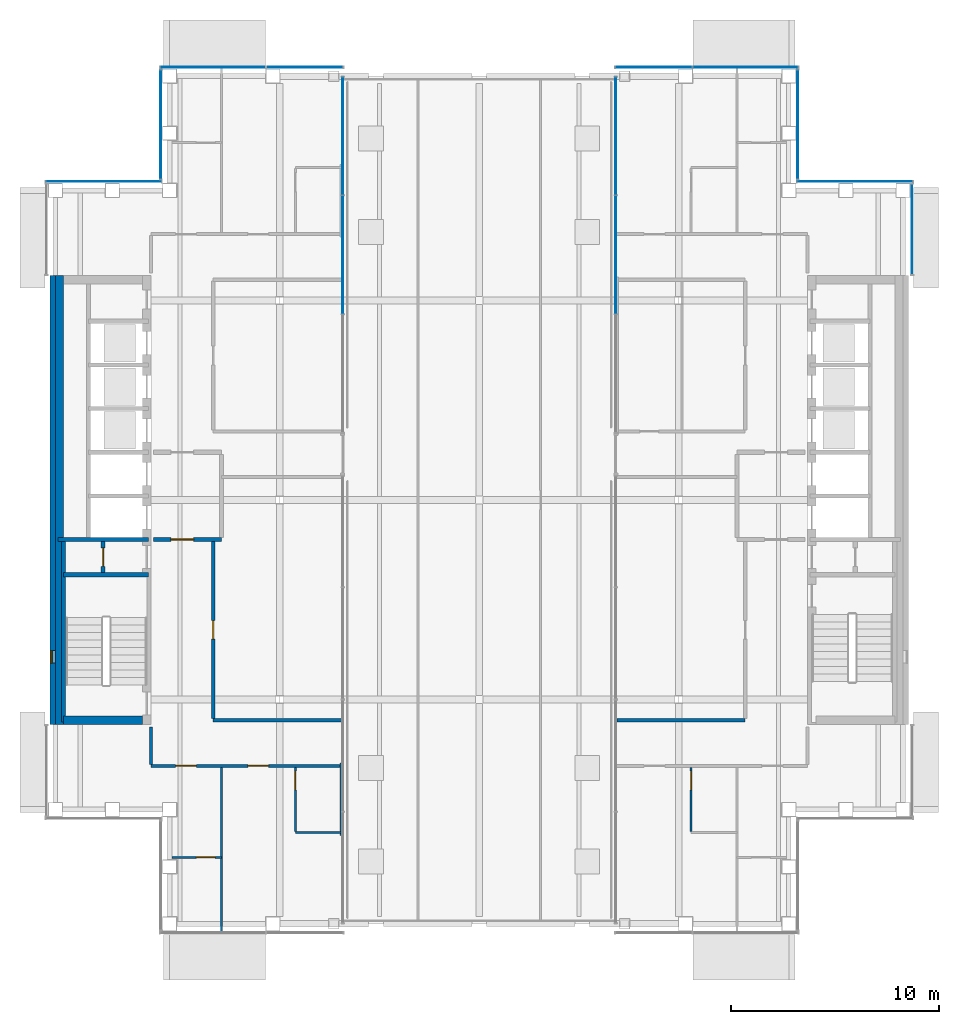
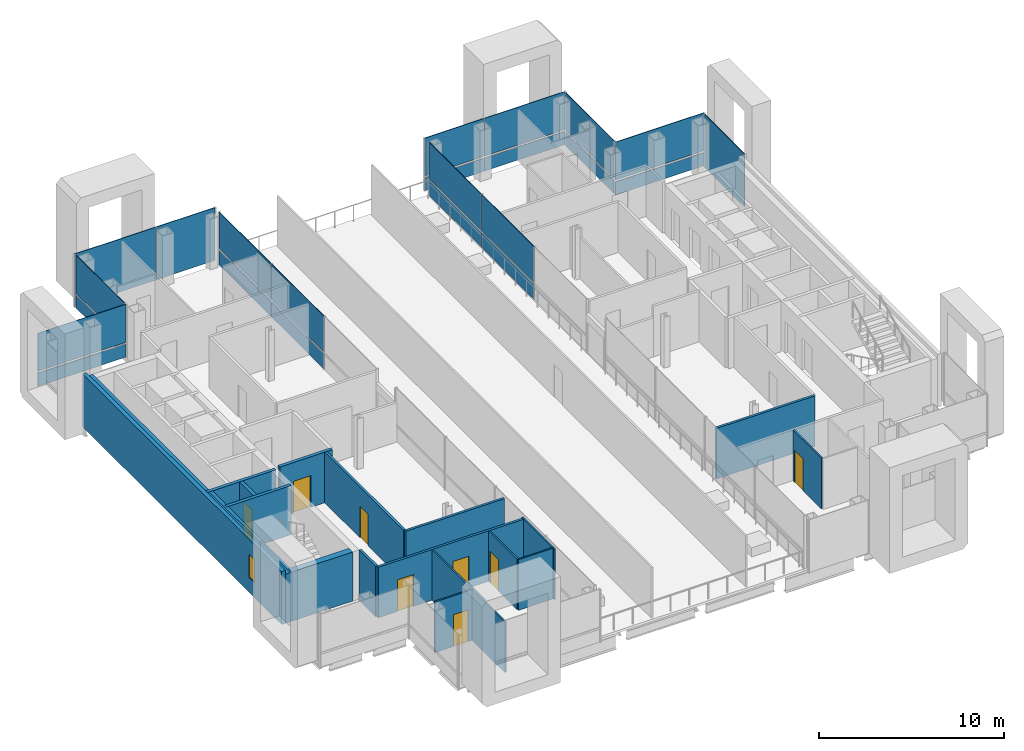
# One storey, part 10 of 17: 23 plates, 19 walls, 8 doors, 1 window, 9 openings, 9 elements without a shape of their own.
"""IFC4 building model written with IfcOpenShell, lengths in metres."""

from ifc_helpers import new_model, si_unit, direction, frame, frame_2d, origin, origin_2d, place, context, subcontext, project, spatial, rectangle, extrude, material, layer, layer_set, type_object, element, fill, aggregate, save


model = new_model("IFC4")

# Units and contexts
model_context = context("Model", 3, precision=1e-05, world=origin(), true_north=direction((0.0, 1.0)))
body_context = subcontext(model_context, "Body", "Model", "MODEL_VIEW")
ifc_project = project(units=[si_unit("LENGTHUNIT", "METRE"), si_unit("AREAUNIT", "SQUARE_METRE"), si_unit("VOLUMEUNIT", "CUBIC_METRE"), si_unit("PLANEANGLEUNIT", "RADIAN"), si_unit("MASSUNIT", "GRAM", prefix="KILO")], contexts=[model_context])

# Site, building, storey
site_placement = place(None, origin())
site = spatial("IfcSite", under=ifc_project, at=site_placement, CompositionType="ELEMENT")
building_placement = place(site_placement, origin())
building = spatial("IfcBuilding", under=site, at=building_placement, Name="Cobrizo Arcos Hotel Tower", CompositionType="ELEMENT")
storey_placement = place(building_placement, frame((0.0, 0.0, 219.0)))
storey = spatial("IfcBuildingStorey", under=building, at=storey_placement, Name="L57", CompositionType="ELEMENT", Elevation=219.0)

# Curtain wall, plate
ifc_material_1 = material(Name="Aluminium 6063-T6 anodised bronze", Category="aluminium")
curtain_wall_type_1 = type_object("IfcCurtainWallType", Name="CW-A guest facade", PredefinedType="NOTDEFINED", material=ifc_material_1)
curtain_wall_1_placement = place(storey_placement, origin())
curtain_wall_1 = element("IfcCurtainWall", 1, at=curtain_wall_1_placement, inside=storey, type_object=curtain_wall_type_1, Name="CW-A L57 N face", PredefinedType="NOTDEFINED")
ifc_material_2 = material(Name="Glass clear laminated low-e", Category="glass")
ifc_layer_1 = layer(ifc_material_2, 0.0400390625)
ifc_layer_set_1 = layer_set([ifc_layer_1], Name="CW-A glass panel")
plate_type_1 = type_object("IfcPlateType", Name="CW-A glass panel", PredefinedType="CURTAIN_PANEL", material=ifc_layer_set_1)
plate_1_placement = place(storey_placement, frame((18.074951171875, 15.324951171875, 0.990234375), z_axis=(0.0, 0.0, 1.0), x_axis=(-1.0, 0.0, 0.0)))
plate_1 = element("IfcPlate", 2, at=plate_1_placement, type_object=plate_type_1, Name="CW-A glass panel 1896", PredefinedType="CURTAIN_PANEL", context=body_context, shape_type="SweptSolid", body=[
    extrude(rectangle(XDim=5.530029296875, YDim=0.0400390625, at=origin_2d()), origin(), (0.0, 0.0, 1.0), 2.510009765625),
])

curtain_wall_2_placement = place(storey_placement, origin())
curtain_wall_2 = element("IfcCurtainWall", 3, at=curtain_wall_2_placement, inside=storey, type_object=curtain_wall_type_1, Name="CW-A L57 E face", PredefinedType="NOTDEFINED")
plate_2_placement = place(storey_placement, frame((15.324951171875, 18.074951171875, 0.990234375), z_axis=(0.0, 0.0, 1.0), x_axis=(0.0, 1.0, 0.0)))
plate_2 = element("IfcPlate", 4, at=plate_2_placement, type_object=plate_type_1, Name="CW-A glass panel 1897", PredefinedType="CURTAIN_PANEL", context=body_context, shape_type="SweptSolid", body=[
    extrude(rectangle(XDim=5.22998046875, YDim=0.0400390625, at=origin_2d()), origin(), (0.0, 0.0, 1.0), 2.510009765625),
])

# Curtain wall, plates
curtain_wall_3_placement = place(storey_placement, origin())
curtain_wall_3 = element("IfcCurtainWall", 5, at=curtain_wall_3_placement, inside=storey, type_object=curtain_wall_type_1, Name="CW-A L57 N face", PredefinedType="NOTDEFINED")
plate_3_placement = place(storey_placement, frame((12.818359375, 20.824951171875, 0.990234375), z_axis=(0.0, 0.0, 1.0), x_axis=(-1.0, 0.0, 0.0)))
plate_3 = element("IfcPlate", 6, at=plate_3_placement, type_object=plate_type_1, Name="CW-A glass panel 1898", PredefinedType="CURTAIN_PANEL", context=body_context, shape_type="SweptSolid", body=[
    extrude(rectangle(XDim=5.043212890625, YDim=0.0400390625, at=origin_2d()), origin(), (0.0, 0.0, 1.0), 2.510009765625),
])
plate_4_placement = place(storey_placement, frame((8.3984375, 20.824951171875, 0.990234375), z_axis=(0.0, 0.0, 1.0), x_axis=(-1.0, 0.0, 0.0)))
plate_4 = element("IfcPlate", 7, at=plate_4_placement, type_object=plate_type_1, Name="CW-A glass panel 1899", PredefinedType="CURTAIN_PANEL", context=body_context, shape_type="SweptSolid", body=[
    extrude(rectangle(XDim=3.6767578125, YDim=0.0400390625, at=origin_2d()), origin(), (0.0, 0.0, 1.0), 2.510009765625),
])

# Curtain wall, plate
curtain_wall_4_placement = place(storey_placement, origin())
curtain_wall_4 = element("IfcCurtainWall", 8, at=curtain_wall_4_placement, inside=storey, type_object=curtain_wall_type_1, Name="CW-A L57 W face", PredefinedType="NOTDEFINED")
plate_5_placement = place(storey_placement, frame((-15.324951171875, 18.074951171875, 0.990234375), z_axis=(0.0, 0.0, 1.0), x_axis=(0.0, -1.0, 0.0)))
plate_5 = element("IfcPlate", 9, at=plate_5_placement, type_object=plate_type_1, Name="CW-A glass panel 1902", PredefinedType="CURTAIN_PANEL", context=body_context, shape_type="SweptSolid", body=[
    extrude(rectangle(XDim=5.22998046875, YDim=0.0400390625, at=origin_2d()), origin(), (0.0, 0.0, 1.0), 2.510009765625),
])

curtain_wall_5_placement = place(storey_placement, origin())
curtain_wall_5 = element("IfcCurtainWall", 10, at=curtain_wall_5_placement, inside=storey, type_object=curtain_wall_type_1, Name="CW-A L57 N face", PredefinedType="NOTDEFINED")
plate_6_placement = place(storey_placement, frame((-18.074951171875, 15.324951171875, 0.990234375), z_axis=(0.0, 0.0, 1.0), x_axis=(-1.0, 0.0, 0.0)))
plate_6 = element("IfcPlate", 11, at=plate_6_placement, type_object=plate_type_1, Name="CW-A glass panel 1903", PredefinedType="CURTAIN_PANEL", context=body_context, shape_type="SweptSolid", body=[
    extrude(rectangle(XDim=5.530029296875, YDim=0.0400390625, at=origin_2d()), origin(), (0.0, 0.0, 1.0), 2.510009765625),
])

curtain_wall_6_placement = place(storey_placement, origin())
curtain_wall_6 = element("IfcCurtainWall", 12, at=curtain_wall_6_placement, inside=storey, type_object=curtain_wall_type_1, Name="CW-A L57 E face", PredefinedType="NOTDEFINED")
ifc_material_3 = material(Name="Aluminium composite panel pale metal", Category="aluminium")
ifc_layer_2 = layer(ifc_material_3, 0.0400390625)
ifc_layer_set_2 = layer_set([ifc_layer_2], Name="CW-A spandrel panel")
plate_type_2 = type_object("IfcPlateType", Name="CW-A spandrel panel", PredefinedType="CURTAIN_PANEL", material=ifc_layer_set_2)
plate_7_placement = place(storey_placement, frame((20.824951171875, 13.02490234375, 0.0), z_axis=(0.0, 0.0, 1.0), x_axis=(0.0, 1.0, 0.0)))
plate_7 = element("IfcPlate", 13, at=plate_7_placement, type_object=plate_type_2, Name="CW-A spandrel panel 1895", PredefinedType="CURTAIN_PANEL", context=body_context, shape_type="SweptSolid", body=[
    extrude(rectangle(XDim=4.330078125, YDim=0.0400390625, at=origin_2d()), origin(), (0.0, 0.0, 1.0), 3.5),
])
aggregate(curtain_wall_6, [plate_7])

# Plate
plate_8_placement = place(storey_placement, frame((18.074951171875, 15.324951171875, 0.0), z_axis=(0.0, 0.0, 1.0), x_axis=(-1.0, 0.0, 0.0)))
plate_8 = element("IfcPlate", 14, at=plate_8_placement, type_object=plate_type_2, Name="CW-A spandrel panel 1896", PredefinedType="CURTAIN_PANEL", context=body_context, shape_type="SweptSolid", body=[
    extrude(rectangle(XDim=5.530029296875, YDim=0.0400390625, at=origin_2d()), origin(), (0.0, 0.0, 1.0), 0.8701171875),
])

aggregate(curtain_wall_1, [plate_8, plate_1])

plate_9_placement = place(storey_placement, frame((15.324951171875, 18.074951171875, 0.0), z_axis=(0.0, 0.0, 1.0), x_axis=(0.0, 1.0, 0.0)))
plate_9 = element("IfcPlate", 15, at=plate_9_placement, type_object=plate_type_2, Name="CW-A spandrel panel 1897", PredefinedType="CURTAIN_PANEL", context=body_context, shape_type="SweptSolid", body=[
    extrude(rectangle(XDim=5.22998046875, YDim=0.0400390625, at=origin_2d()), origin(), (0.0, 0.0, 1.0), 0.8701171875),
])

aggregate(curtain_wall_2, [plate_9, plate_2])

plate_10_placement = place(storey_placement, frame((12.818359375, 20.824951171875, 0.0), z_axis=(0.0, 0.0, 1.0), x_axis=(-1.0, 0.0, 0.0)))
plate_10 = element("IfcPlate", 16, at=plate_10_placement, type_object=plate_type_2, Name="CW-A spandrel panel 1898", PredefinedType="CURTAIN_PANEL", context=body_context, shape_type="SweptSolid", body=[
    extrude(rectangle(XDim=5.043212890625, YDim=0.0400390625, at=origin_2d()), origin(), (0.0, 0.0, 1.0), 0.8701171875),
])

plate_11_placement = place(storey_placement, frame((8.3984375, 20.824951171875, 0.0), z_axis=(0.0, 0.0, 1.0), x_axis=(-1.0, 0.0, 0.0)))
plate_11 = element("IfcPlate", 17, at=plate_11_placement, type_object=plate_type_2, Name="CW-A spandrel panel 1899", PredefinedType="CURTAIN_PANEL", context=body_context, shape_type="SweptSolid", body=[
    extrude(rectangle(XDim=3.6767578125, YDim=0.0400390625, at=origin_2d()), origin(), (0.0, 0.0, 1.0), 0.8701171875),
])

aggregate(curtain_wall_3, [plate_10, plate_3, plate_11, plate_4])

# Curtain wall, plates
curtain_wall_7_placement = place(storey_placement, origin())
curtain_wall_7 = element("IfcCurtainWall", 18, at=curtain_wall_7_placement, inside=storey, type_object=curtain_wall_type_1, Name="CW-A L57 N face", PredefinedType="NOTDEFINED")
plate_12_placement = place(storey_placement, frame((-8.3984375, 20.824951171875, 0.0), z_axis=(0.0, 0.0, 1.0), x_axis=(-1.0, 0.0, 0.0)))
plate_12 = element("IfcPlate", 19, at=plate_12_placement, type_object=plate_type_2, Name="CW-A spandrel panel 1900", PredefinedType="CURTAIN_PANEL", context=body_context, shape_type="SweptSolid", body=[
    extrude(rectangle(XDim=3.6767578125, YDim=0.0400390625, at=origin_2d()), origin(), (0.0, 0.0, 1.0), 3.5),
])
plate_13_placement = place(storey_placement, frame((-12.818359375, 20.824951171875, 0.0), z_axis=(0.0, 0.0, 1.0), x_axis=(-1.0, 0.0, 0.0)))
plate_13 = element("IfcPlate", 20, at=plate_13_placement, type_object=plate_type_2, Name="CW-A spandrel panel 1901", PredefinedType="CURTAIN_PANEL", context=body_context, shape_type="SweptSolid", body=[
    extrude(rectangle(XDim=5.043212890625, YDim=0.0400390625, at=origin_2d()), origin(), (0.0, 0.0, 1.0), 3.5),
])
aggregate(curtain_wall_7, [plate_12, plate_13])

# Plate
plate_14_placement = place(storey_placement, frame((-15.324951171875, 18.074951171875, 0.0), z_axis=(0.0, 0.0, 1.0), x_axis=(0.0, -1.0, 0.0)))
plate_14 = element("IfcPlate", 21, at=plate_14_placement, type_object=plate_type_2, Name="CW-A spandrel panel 1902", PredefinedType="CURTAIN_PANEL", context=body_context, shape_type="SweptSolid", body=[
    extrude(rectangle(XDim=5.22998046875, YDim=0.0400390625, at=origin_2d()), origin(), (0.0, 0.0, 1.0), 0.8701171875),
])

aggregate(curtain_wall_4, [plate_14, plate_5])

plate_15_placement = place(storey_placement, frame((-18.074951171875, 15.324951171875, 0.0), z_axis=(0.0, 0.0, 1.0), x_axis=(-1.0, 0.0, 0.0)))
plate_15 = element("IfcPlate", 22, at=plate_15_placement, type_object=plate_type_2, Name="CW-A spandrel panel 1903", PredefinedType="CURTAIN_PANEL", context=body_context, shape_type="SweptSolid", body=[
    extrude(rectangle(XDim=5.530029296875, YDim=0.0400390625, at=origin_2d()), origin(), (0.0, 0.0, 1.0), 0.8701171875),
])

aggregate(curtain_wall_5, [plate_15, plate_6])

# Curtain wall, plates
curtain_wall_type_2 = type_object("IfcCurtainWallType", Name="CW-F void screen", PredefinedType="NOTDEFINED", material=ifc_material_1)
curtain_wall_8_placement = place(storey_placement, origin())
curtain_wall_8 = element("IfcCurtainWall", 23, at=curtain_wall_8_placement, inside=storey, type_object=curtain_wall_type_2, Name="CW-F L57 void screen C", PredefinedType="NOTDEFINED")
ifc_layer_3 = layer(ifc_material_2, 0.0400390625)
ifc_layer_set_3 = layer_set([ifc_layer_3], Name="CW-F glass panel")
plate_type_3 = type_object("IfcPlateType", Name="CW-F glass panel", PredefinedType="CURTAIN_PANEL", material=ifc_layer_set_3)
plate_16_placement = place(storey_placement, frame((6.574951171875, 11.800048828125, 0.0), z_axis=(0.0, 0.0, 1.0), x_axis=(0.0, 1.0, 0.0)))
plate_16 = element("IfcPlate", 24, at=plate_16_placement, type_object=plate_type_3, Name="CW-F glass panel 2691", PredefinedType="CURTAIN_PANEL", context=body_context, shape_type="SweptSolid", body=[
    extrude(rectangle(XDim=5.67333984375, YDim=0.0400390625, at=origin_2d()), origin(), (0.0, 0.0, 1.0), 0.989990234375),
])
plate_17_placement = place(storey_placement, frame((6.574951171875, 11.800048828125, 1.10986328125), z_axis=(0.0, 0.0, 1.0), x_axis=(0.0, 1.0, 0.0)))
plate_17 = element("IfcPlate", 25, at=plate_17_placement, type_object=plate_type_3, Name="CW-F glass panel 2691", PredefinedType="CURTAIN_PANEL", context=body_context, shape_type="SweptSolid", body=[
    extrude(rectangle(XDim=5.67333984375, YDim=0.0400390625, at=origin_2d()), origin(), (0.0, 0.0, 1.0), 2.389892578125),
])
plate_18_placement = place(storey_placement, frame((6.574951171875, 17.518310546875, 0.0), z_axis=(0.0, 0.0, 1.0), x_axis=(0.0, 1.0, 0.0)))
plate_18 = element("IfcPlate", 26, at=plate_18_placement, type_object=plate_type_3, Name="CW-F glass panel 2692", PredefinedType="CURTAIN_PANEL", context=body_context, shape_type="SweptSolid", body=[
    extrude(rectangle(XDim=5.643310546875, YDim=0.0400390625, at=origin_2d()), origin(), (0.0, 0.0, 1.0), 0.989990234375),
])
plate_19_placement = place(storey_placement, frame((6.574951171875, 17.518310546875, 1.10986328125), z_axis=(0.0, 0.0, 1.0), x_axis=(0.0, 1.0, 0.0)))
plate_19 = element("IfcPlate", 27, at=plate_19_placement, type_object=plate_type_3, Name="CW-F glass panel 2692", PredefinedType="CURTAIN_PANEL", context=body_context, shape_type="SweptSolid", body=[
    extrude(rectangle(XDim=5.643310546875, YDim=0.0400390625, at=origin_2d()), origin(), (0.0, 0.0, 1.0), 2.389892578125),
])
aggregate(curtain_wall_8, [plate_16, plate_17, plate_18, plate_19])

curtain_wall_9_placement = place(storey_placement, origin())
curtain_wall_9 = element("IfcCurtainWall", 28, at=curtain_wall_9_placement, inside=storey, type_object=curtain_wall_type_2, Name="CW-F L57 void screen C", PredefinedType="NOTDEFINED")
plate_20_placement = place(storey_placement, frame((-6.574951171875, 17.518310546875, 0.0), z_axis=(0.0, 0.0, 1.0), x_axis=(0.0, -1.0, 0.0)))
plate_20 = element("IfcPlate", 29, at=plate_20_placement, type_object=plate_type_3, Name="CW-F glass panel 2693", PredefinedType="CURTAIN_PANEL", context=body_context, shape_type="SweptSolid", body=[
    extrude(rectangle(XDim=5.643310546875, YDim=0.0400390625, at=origin_2d()), origin(), (0.0, 0.0, 1.0), 0.989990234375),
])
plate_21_placement = place(storey_placement, frame((-6.574951171875, 17.518310546875, 1.10986328125), z_axis=(0.0, 0.0, 1.0), x_axis=(0.0, -1.0, 0.0)))
plate_21 = element("IfcPlate", 30, at=plate_21_placement, type_object=plate_type_3, Name="CW-F glass panel 2693", PredefinedType="CURTAIN_PANEL", context=body_context, shape_type="SweptSolid", body=[
    extrude(rectangle(XDim=5.643310546875, YDim=0.0400390625, at=origin_2d()), origin(), (0.0, 0.0, 1.0), 2.389892578125),
])
plate_22_placement = place(storey_placement, frame((-6.574951171875, 11.800048828125, 0.0), z_axis=(0.0, 0.0, 1.0), x_axis=(0.0, -1.0, 0.0)))
plate_22 = element("IfcPlate", 31, at=plate_22_placement, type_object=plate_type_3, Name="CW-F glass panel 2694", PredefinedType="CURTAIN_PANEL", context=body_context, shape_type="SweptSolid", body=[
    extrude(rectangle(XDim=5.67333984375, YDim=0.0400390625, at=origin_2d()), origin(), (0.0, 0.0, 1.0), 0.989990234375),
])
plate_23_placement = place(storey_placement, frame((-6.574951171875, 11.800048828125, 1.10986328125), z_axis=(0.0, 0.0, 1.0), x_axis=(0.0, -1.0, 0.0)))
plate_23 = element("IfcPlate", 32, at=plate_23_placement, type_object=plate_type_3, Name="CW-F glass panel 2694", PredefinedType="CURTAIN_PANEL", context=body_context, shape_type="SweptSolid", body=[
    extrude(rectangle(XDim=5.67333984375, YDim=0.0400390625, at=origin_2d()), origin(), (0.0, 0.0, 1.0), 2.389892578125),
])
aggregate(curtain_wall_9, [plate_20, plate_21, plate_22, plate_23])

# Wall, openings, doors
ifc_material_4 = material(Name="Gypsum board partition")
ifc_layer_4 = layer(ifc_material_4, 0.14990234375)
ifc_layer_set_4 = layer_set([ifc_layer_4], Name="Corridor wall EI 60 150")
wall_type_1 = type_object("IfcWallType", Name="Corridor wall EI 60 150", PredefinedType="PARTITIONING", material=ifc_layer_set_4)
wall_1_placement = place(storey_placement, frame((-15.800048828125, -12.800048828125, 0.0), z_axis=(0.0, 0.0, 1.0), x_axis=(1.0, 0.0, 0.0)))
wall_1 = element("IfcWall", 33, at=wall_1_placement, inside=storey, type_object=wall_type_1, Name="Partition 005", PredefinedType="PARTITIONING", context=body_context, shape_type="SweptSolid", body=[
    extrude(rectangle(XDim=9.150146484375, YDim=0.14990234375, at=frame_2d((4.5751953125, 0.0))), origin(), (0.0, 0.0, 1.0), 3.35009765625),
])
opening_1_placement = place(wall_1_placement, frame((4.6669921875, 0.0, 0.0)))
opening_1 = element("IfcOpeningElement", 34, at=opening_1_placement, cuts=wall_1, Name="Opening GD-04", PredefinedType="OPENING", context=body_context, shape_type="SweptSolid", body=[
    extrude(rectangle(XDim=1.0, YDim=2.10009765625, at=frame_2d((0.5, 1.050048828125))), frame((0.0, 0.0869140625, 0.0), z_axis=(0.0, -1.0, 0.0), x_axis=(1.0, 0.0, 0.0)), (0.0, 0.0, 1.0), 0.173828125),
])
opening_2_placement = place(wall_1_placement, frame((1.19189453125, 0.0, 0.0)))
opening_2 = element("IfcOpeningElement", 35, at=opening_2_placement, cuts=wall_1, Name="Opening GD-05", PredefinedType="OPENING", context=body_context, shape_type="SweptSolid", body=[
    extrude(rectangle(XDim=1.0, YDim=2.10009765625, at=frame_2d((0.5, 1.050048828125))), frame((0.0, 0.0869140625, 0.0), z_axis=(0.0, -1.0, 0.0), x_axis=(1.0, 0.0, 0.0)), (0.0, 0.0, 1.0), 0.173828125),
])
ifc_material_5 = material(Name="Timber door leaf", Category="wood")
door_type_1 = type_object("IfcDoorType", Name="Guest room door FD30S 1000x2100", OperationType="SINGLE_SWING_LEFT", PredefinedType="DOOR", material=ifc_material_5)
door_1_placement = place(opening_1_placement, origin())
door_1 = element("IfcDoor", 36, at=door_1_placement, inside=storey, type_object=door_type_1, Name="Door GD-04", OperationType="SINGLE_SWING_RIGHT", OverallHeight=2.10009765625, OverallWidth=1.0, PredefinedType="DOOR", context=body_context, shape_type="SweptSolid", body=[
    extrude(rectangle(XDim=1.0, YDim=2.10009765625, at=frame_2d((0.5, 1.050048828125))), frame((0.0, 0.02490234375, 0.0), z_axis=(0.0, -1.0, 0.0), x_axis=(1.0, 0.0, 0.0)), (0.0, 0.0, 1.0), 0.050048828125),
])
fill(opening_1, door_1)
door_2_placement = place(opening_2_placement, origin())
door_2 = element("IfcDoor", 37, at=door_2_placement, inside=storey, type_object=door_type_1, Name="Door GD-05", OperationType="SINGLE_SWING_RIGHT", OverallHeight=2.10009765625, OverallWidth=1.0, PredefinedType="DOOR", context=body_context, shape_type="SweptSolid", body=[
    extrude(rectangle(XDim=1.0, YDim=2.10009765625, at=frame_2d((0.5, 1.050048828125))), frame((0.0, 0.02490234375, 0.0), z_axis=(0.0, -1.0, 0.0), x_axis=(1.0, 0.0, 0.0)), (0.0, 0.0, 1.0), 0.050048828125),
])
fill(opening_2, door_2)

# Walls
for number, where, z_axis, x_axis, name in (
    (38, (-12.800048828125, -10.60009765625, 0.0), (0.0, 0.0, 1.0), (1.0, 0.0, 0.0), "Partition 007"),
    (39, (6.6201171875, -10.60009765625, 0.0), (0.0, 0.0, 1.0), (1.0, 0.0, 0.0), "Partition 008"),
):
    element("IfcWall", number, at=place(storey_placement, frame(where, z_axis=z_axis, x_axis=x_axis)), inside=storey, type_object=wall_type_1, Name=name, PredefinedType="PARTITIONING", context=body_context, shape_type="SweptSolid", body=[
        extrude(rectangle(XDim=6.179931640625, YDim=0.14990234375, at=frame_2d((3.08984375, 0.0))), origin(), (0.0, 0.0, 1.0), 3.35009765625),
    ])
wall_2_placement = place(storey_placement, frame((-15.800048828125, -12.72509765625, 0.0), z_axis=(0.0, 0.0, 1.0), x_axis=(0.0, 1.0, 0.0)))
element("IfcWall", 40, at=wall_2_placement, inside=storey, type_object=wall_type_1, Name="Partition 044", PredefinedType="PARTITIONING", context=body_context, shape_type="SweptSolid", body=[
    extrude(rectangle(XDim=1.80517578125, YDim=0.14990234375, at=frame_2d((0.902587890625, 0.0))), origin(), (0.0, 0.0, 1.0), 3.35009765625),
])

# Wall, opening, door
wall_3_placement = place(storey_placement, frame((-12.800048828125, -10.52490234375, 0.0), z_axis=(0.0, 0.0, 1.0), x_axis=(0.0, 1.0, 0.0)))
wall_3 = element("IfcWall", 41, at=wall_3_placement, inside=storey, type_object=wall_type_1, Name="Partition 046", PredefinedType="PARTITIONING", context=body_context, shape_type="SweptSolid", body=[
    extrude(rectangle(XDim=8.52490234375, YDim=0.14990234375, at=frame_2d((4.262451171875, 0.0))), origin(), (0.0, 0.0, 1.0), 3.35009765625),
])
opening_3_placement = place(wall_3_placement, frame((3.824951171875, 0.0, 0.0)))
opening_3 = element("IfcOpeningElement", 42, at=opening_3_placement, cuts=wall_3, Name="Opening RD-07", PredefinedType="OPENING", context=body_context, shape_type="SweptSolid", body=[
    extrude(rectangle(XDim=0.89990234375, YDim=2.10009765625, at=frame_2d((0.449951171875, 1.050048828125))), frame((0.0, 0.0869140625, 0.0), z_axis=(0.0, -1.0, 0.0), x_axis=(1.0, 0.0, 0.0)), (0.0, 0.0, 1.0), 0.173828125),
])
door_type_2 = type_object("IfcDoorType", Name="Room door FD30 900x2100", OperationType="SINGLE_SWING_LEFT", PredefinedType="DOOR", material=ifc_material_5)
door_3_placement = place(opening_3_placement, origin())
door_3 = element("IfcDoor", 43, at=door_3_placement, inside=storey, type_object=door_type_2, Name="Door RD-07", OperationType="SINGLE_SWING_LEFT", OverallHeight=2.10009765625, OverallWidth=0.89990234375, PredefinedType="DOOR", context=body_context, shape_type="SweptSolid", body=[
    extrude(rectangle(XDim=0.89990234375, YDim=2.10009765625, at=frame_2d((0.449951171875, 1.050048828125))), frame((0.0, 0.02490234375, 0.0), z_axis=(0.0, -1.0, 0.0), x_axis=(1.0, 0.0, 0.0)), (0.0, 0.0, 1.0), 0.050048828125),
])
fill(opening_3, door_3)

# Wall, opening, window
ifc_layer_5 = layer(ifc_material_3, 0.25)
ifc_layer_set_5 = layer_set([ifc_layer_5], Name="EW-1 insulated panel wall 250")
wall_type_2 = type_object("IfcWallType", Name="EW-1 insulated panel wall 250", PredefinedType="SOLIDWALL", material=ifc_layer_set_5)
wall_4_placement = place(storey_placement, frame((-20.52490234375, 10.800048828125, 0.0), z_axis=(0.0, 0.0, 1.0), x_axis=(0.0, -1.0, 0.0)))
wall_4 = element("IfcWall", 44, at=wall_4_placement, inside=storey, type_object=wall_type_2, Name="Core face wall L57 W", PredefinedType="SOLIDWALL", context=body_context, shape_type="SweptSolid", body=[
    extrude(rectangle(XDim=21.60009765625, YDim=0.25, at=frame_2d((10.800048828125, 0.0))), origin(), (0.0, 0.0, 1.0), 3.5),
])
opening_4_placement = place(wall_4_placement, frame((18.050048828125, 0.0, 1.0)))
opening_4 = element("IfcOpeningElement", 45, at=opening_4_placement, cuts=wall_4, Name="Opening W-128", PredefinedType="OPENING", context=body_context, shape_type="SweptSolid", body=[
    extrude(rectangle(XDim=0.60009765625, YDim=1.5, at=frame_2d((0.300048828125, 0.75))), frame((0.0, 0.136962890625, 0.0), z_axis=(0.0, -1.0, 0.0), x_axis=(1.0, 0.0, 0.0)), (0.0, 0.0, 1.0), 0.27392578125),
])
ifc_material_6 = material(Name="Aluminium 6063-T6 and clear laminated glass", Category="aluminium")
window_type = type_object("IfcWindowType", Name="W-C1 core stair slot window 600x1500", PartitioningType="SINGLE_PANEL", PredefinedType="WINDOW", material=ifc_material_6)
window_placement = place(opening_4_placement, origin())
window = element("IfcWindow", 46, at=window_placement, inside=storey, type_object=window_type, Name="Core face wall L57 W window W-128", OverallHeight=1.5, OverallWidth=0.60009765625, PartitioningType="SINGLE_PANEL", PredefinedType="WINDOW", context=body_context, shape_type="SweptSolid", body=[
    extrude(rectangle(XDim=0.60009765625, YDim=1.5, at=frame_2d((0.300048828125, 0.75))), frame((0.0, -0.034912109375, 0.0), z_axis=(0.0, -1.0, 0.0), x_axis=(1.0, 0.0, 0.0)), (0.0, 0.0, 1.0), 0.06005859375),
])
fill(opening_4, window)

# Wall, opening, door
ifc_layer_6 = layer(ifc_material_4, 0.10009765625)
ifc_layer_set_6 = layer_set([ifc_layer_6], Name="Partition EI 30 100")
wall_type_3 = type_object("IfcWallType", Name="Partition EI 30 100", PredefinedType="PARTITIONING", material=ifc_layer_set_6)
wall_5_placement = place(storey_placement, frame((-14.780029296875, -17.199951171875, 0.0), z_axis=(0.0, 0.0, 1.0), x_axis=(1.0, 0.0, 0.0)))
wall_5 = element("IfcWall", 47, at=wall_5_placement, inside=storey, type_object=wall_type_3, Name="Partition 001", PredefinedType="PARTITIONING", context=body_context, shape_type="SweptSolid", body=[
    extrude(rectangle(XDim=2.380126953125, YDim=0.10009765625, at=frame_2d((1.18994140625, 0.0))), origin(), (0.0, 0.0, 1.0), 3.35009765625),
])
opening_5_placement = place(wall_5_placement, frame((1.16796875, 0.0, 0.0)))
opening_5 = element("IfcOpeningElement", 48, at=opening_5_placement, cuts=wall_5, Name="Opening ED-05", PredefinedType="OPENING", context=body_context, shape_type="SweptSolid", body=[
    extrude(rectangle(XDim=0.89990234375, YDim=2.10009765625, at=frame_2d((0.449951171875, 1.050048828125))), frame((0.0, 0.06201171875, 0.0), z_axis=(0.0, -1.0, 0.0), x_axis=(1.0, 0.0, 0.0)), (0.0, 0.0, 1.0), 0.1240234375),
])
door_type_3 = type_object("IfcDoorType", Name="En-suite door 900x2100", OperationType="SINGLE_SWING_LEFT", PredefinedType="DOOR", material=ifc_material_5)
door_4_placement = place(opening_5_placement, origin())
door_4 = element("IfcDoor", 49, at=door_4_placement, inside=storey, type_object=door_type_3, Name="Door ED-05", OperationType="SINGLE_SWING_RIGHT", OverallHeight=2.10009765625, OverallWidth=0.89990234375, PredefinedType="DOOR", context=body_context, shape_type="SweptSolid", body=[
    extrude(rectangle(XDim=0.89990234375, YDim=2.10009765625, at=frame_2d((0.449951171875, 1.050048828125))), frame((0.0, 0.02490234375, 0.0), z_axis=(0.0, -1.0, 0.0), x_axis=(1.0, 0.0, 0.0)), (0.0, 0.0, 1.0), 0.050048828125),
])
fill(opening_5, door_4)

# Walls
wall_6_placement = place(storey_placement, frame((-8.85009765625, -16.0, 0.0), z_axis=(0.0, 0.0, 1.0), x_axis=(1.0, 0.0, 0.0)))
element("IfcWall", 50, at=wall_6_placement, inside=storey, type_object=wall_type_3, Name="Partition 003", PredefinedType="PARTITIONING", context=body_context, shape_type="SweptSolid", body=[
    extrude(rectangle(XDim=2.2001953125, YDim=0.10009765625, at=frame_2d((1.10009765625, 0.0))), origin(), (0.0, 0.0, 1.0), 3.35009765625),
])
wall_7_placement = place(storey_placement, frame((-12.39990234375, -20.780029296875, 0.0), z_axis=(0.0, 0.0, 1.0), x_axis=(0.0, 1.0, 0.0)))
element("IfcWall", 51, at=wall_7_placement, inside=storey, type_object=wall_type_3, Name="Partition 048", PredefinedType="PARTITIONING", context=body_context, shape_type="SweptSolid", body=[
    extrude(rectangle(XDim=7.905029296875, YDim=0.10009765625, at=frame_2d((3.95263671875, 0.0))), origin(), (0.0, 0.0, 1.0), 3.35009765625),
])

# Wall, opening, door
wall_8_placement = place(storey_placement, frame((-8.85009765625, -15.949951171875, 0.0), z_axis=(0.0, 0.0, 1.0), x_axis=(0.0, 1.0, 0.0)))
wall_8 = element("IfcWall", 52, at=wall_8_placement, inside=storey, type_object=wall_type_3, Name="Partition 051", PredefinedType="PARTITIONING", context=body_context, shape_type="SweptSolid", body=[
    extrude(rectangle(XDim=3.074951171875, YDim=0.10009765625, at=frame_2d((1.53759765625, 0.0))), origin(), (0.0, 0.0, 1.0), 3.35009765625),
])
opening_6_placement = place(wall_8_placement, frame((1.99609375, 0.0, 0.0)))
opening_6 = element("IfcOpeningElement", 53, at=opening_6_placement, cuts=wall_8, Name="Opening ED-04", PredefinedType="OPENING", context=body_context, shape_type="SweptSolid", body=[
    extrude(rectangle(XDim=0.89990234375, YDim=2.10009765625, at=frame_2d((0.449951171875, 1.050048828125))), frame((0.0, 0.06201171875, 0.0), z_axis=(0.0, -1.0, 0.0), x_axis=(1.0, 0.0, 0.0)), (0.0, 0.0, 1.0), 0.1240234375),
])
door_5_placement = place(opening_6_placement, origin())
door_5 = element("IfcDoor", 54, at=door_5_placement, inside=storey, type_object=door_type_3, Name="Door ED-04", OperationType="SINGLE_SWING_RIGHT", OverallHeight=2.10009765625, OverallWidth=0.89990234375, PredefinedType="DOOR", context=body_context, shape_type="SweptSolid", body=[
    extrude(rectangle(XDim=0.89990234375, YDim=2.10009765625, at=frame_2d((0.449951171875, 1.050048828125))), frame((0.0, 0.02490234375, 0.0), z_axis=(0.0, -1.0, 0.0), x_axis=(1.0, 0.0, 0.0)), (0.0, 0.0, 1.0), 0.050048828125),
])
fill(opening_6, door_5)

# Wall
wall_9_placement = place(storey_placement, frame((-6.64990234375, -16.139892578125, 0.0), z_axis=(0.0, 0.0, 1.0), x_axis=(0.0, 1.0, 0.0)))
element("IfcWall", 55, at=wall_9_placement, inside=storey, type_object=wall_type_3, Name="Partition 053", PredefinedType="PARTITIONING", context=body_context, shape_type="SweptSolid", body=[
    extrude(rectangle(XDim=3.47998046875, YDim=0.10009765625, at=frame_2d((1.739990234375, 0.0))), origin(), (0.0, 0.0, 1.0), 3.35009765625),
])

# Wall, opening, door
wall_10_placement = place(storey_placement, frame((10.199951171875, -15.949951171875, 0.0), z_axis=(0.0, 0.0, 1.0), x_axis=(0.0, 1.0, 0.0)))
wall_10 = element("IfcWall", 56, at=wall_10_placement, inside=storey, type_object=wall_type_3, Name="Partition 061", PredefinedType="PARTITIONING", context=body_context, shape_type="SweptSolid", body=[
    extrude(rectangle(XDim=3.074951171875, YDim=0.10009765625, at=frame_2d((1.53759765625, 0.0))), origin(), (0.0, 0.0, 1.0), 3.35009765625),
])
opening_7_placement = place(wall_10_placement, frame((1.99609375, 0.0, 0.0)))
opening_7 = element("IfcOpeningElement", 57, at=opening_7_placement, cuts=wall_10, Name="Opening ED-03", PredefinedType="OPENING", context=body_context, shape_type="SweptSolid", body=[
    extrude(rectangle(XDim=0.89990234375, YDim=2.10009765625, at=frame_2d((0.449951171875, 1.050048828125))), frame((0.0, 0.06201171875, 0.0), z_axis=(0.0, -1.0, 0.0), x_axis=(1.0, 0.0, 0.0)), (0.0, 0.0, 1.0), 0.1240234375),
])
door_6_placement = place(opening_7_placement, origin())
door_6 = element("IfcDoor", 58, at=door_6_placement, inside=storey, type_object=door_type_3, Name="Door ED-03", OperationType="SINGLE_SWING_RIGHT", OverallHeight=2.10009765625, OverallWidth=0.89990234375, PredefinedType="DOOR", context=body_context, shape_type="SweptSolid", body=[
    extrude(rectangle(XDim=0.89990234375, YDim=2.10009765625, at=frame_2d((0.449951171875, 1.050048828125))), frame((0.0, 0.02490234375, 0.0), z_axis=(0.0, -1.0, 0.0), x_axis=(1.0, 0.0, 0.0)), (0.0, 0.0, 1.0), 0.050048828125),
])
fill(opening_7, door_6)

# Walls
ifc_material_7 = material(Name="Concrete f'c 40 MPa", Category="concrete")
ifc_layer_7 = layer(ifc_material_7, 0.39990234375)
ifc_layer_set_7 = layer_set([ifc_layer_7], Name="RC core wall 400 f'c 40")
wall_type_4 = type_object("IfcWallType", Name="RC core wall 400 f'c 40", PredefinedType="SHEAR", material=ifc_layer_set_7)
wall_11_placement = place(storey_placement, frame((-20.199951171875, -10.800048828125, 0.0), z_axis=(0.0, 0.0, 1.0), x_axis=(0.0, 1.0, 0.0)))
element("IfcWall", 59, at=wall_11_placement, inside=storey, type_object=wall_type_4, Name="Core wall CW4, west core, outer face, L57", PredefinedType="SHEAR", context=body_context, shape_type="SweptSolid", body=[
    extrude(rectangle(XDim=21.60009765625, YDim=0.39990234375, at=frame_2d((10.800048828125, 0.0))), origin(), (0.0, 0.0, 1.0), 3.25),
])
wall_12_placement = place(storey_placement, frame((-20.0, -10.60009765625, 0.0), z_axis=(0.0, 0.0, 1.0), x_axis=(1.0, 0.0, 0.0)))
element("IfcWall", 60, at=wall_12_placement, inside=storey, type_object=wall_type_4, Name="Core wall CW4, west core, south end, L57", PredefinedType="SHEAR", context=body_context, shape_type="SweptSolid", body=[
    extrude(rectangle(XDim=3.800048828125, YDim=0.39990234375, at=frame_2d((1.89990234375, 0.0))), origin(), (0.0, 0.0, 1.0), 3.25),
])
ifc_layer_8 = layer(ifc_material_4, 0.199951171875)
ifc_layer_set_8 = layer_set([ifc_layer_8], Name="Shaft wall EI 120 200")
wall_type_5 = type_object("IfcWallType", Name="Shaft wall EI 120 200", PredefinedType="PARTITIONING", material=ifc_layer_set_8)
wall_13_placement = place(storey_placement, frame((-20.280029296875, -1.89990234375, 0.0), z_axis=(0.0, 0.0, 1.0), x_axis=(1.0, 0.0, 0.0)))
element("IfcWall", 61, at=wall_13_placement, inside=storey, type_object=wall_type_5, Name="Partition 011", PredefinedType="PARTITIONING", context=body_context, shape_type="SweptSolid", body=[
    extrude(rectangle(XDim=4.360107421875, YDim=0.199951171875, at=frame_2d((2.18017578125, 0.0))), origin(), (0.0, 0.0, 1.0), 3.25),
])

# Wall, opening, door
wall_14_placement = place(storey_placement, frame((-15.679931640625, -1.89990234375, 0.0), z_axis=(0.0, 0.0, 1.0), x_axis=(1.0, 0.0, 0.0)))
wall_14 = element("IfcWall", 62, at=wall_14_placement, inside=storey, type_object=wall_type_5, Name="Partition 012", PredefinedType="PARTITIONING", context=body_context, shape_type="SweptSolid", body=[
    extrude(rectangle(XDim=3.280029296875, YDim=0.199951171875, at=frame_2d((1.64013671875, 0.0))), origin(), (0.0, 0.0, 1.0), 3.35009765625),
])
opening_8_placement = place(wall_14_placement, frame((0.840087890625, 0.0, 0.0)))
opening_8 = element("IfcOpeningElement", 63, at=opening_8_placement, cuts=wall_14, Name="Opening FD-03", PredefinedType="OPENING", context=body_context, shape_type="SweptSolid", body=[
    extrude(rectangle(XDim=1.10009765625, YDim=2.10009765625, at=frame_2d((0.550048828125, 1.050048828125))), frame((0.0, 0.112060546875, 0.0), z_axis=(0.0, -1.0, 0.0), x_axis=(1.0, 0.0, 0.0)), (0.0, 0.0, 1.0), 0.223876953125),
])
ifc_material_8 = material(Name="Steel door leaf", Category="steel")
door_type_4 = type_object("IfcDoorType", Name="Fire door FD60 1100x2100", OperationType="SINGLE_SWING_LEFT", PredefinedType="DOOR", material=ifc_material_8)
door_7_placement = place(opening_8_placement, origin())
door_7 = element("IfcDoor", 64, at=door_7_placement, inside=storey, type_object=door_type_4, Name="Door FD-03", OperationType="SINGLE_SWING_LEFT", OverallHeight=2.10009765625, OverallWidth=1.10009765625, PredefinedType="DOOR", context=body_context, shape_type="SweptSolid", body=[
    extrude(rectangle(XDim=1.10009765625, YDim=2.10009765625, at=frame_2d((0.550048828125, 1.050048828125))), frame((0.0, 0.02490234375, 0.0), z_axis=(0.0, -1.0, 0.0), x_axis=(1.0, 0.0, 0.0)), (0.0, 0.0, 1.0), 0.050048828125),
])
fill(opening_8, door_7)

wall_15_placement = place(storey_placement, frame((-18.10009765625, -3.5, 0.0), z_axis=(0.0, 0.0, 1.0), x_axis=(0.0, 1.0, 0.0)))
wall_15 = element("IfcWall", 65, at=wall_15_placement, inside=storey, type_object=wall_type_5, Name="Partition 043", PredefinedType="PARTITIONING", context=body_context, shape_type="SweptSolid", body=[
    extrude(rectangle(XDim=1.5, YDim=0.199951171875, at=frame_2d((0.75, 0.0))), origin(), (0.0, 0.0, 1.0), 3.25),
])
opening_9_placement = place(wall_15_placement, frame((0.300048828125, 0.0, 0.0)))
opening_9 = element("IfcOpeningElement", 66, at=opening_9_placement, cuts=wall_15, Name="Opening RD-01", PredefinedType="OPENING", context=body_context, shape_type="SweptSolid", body=[
    extrude(rectangle(XDim=0.89990234375, YDim=2.10009765625, at=frame_2d((0.449951171875, 1.050048828125))), frame((0.0, 0.112060546875, 0.0), z_axis=(0.0, -1.0, 0.0), x_axis=(1.0, 0.0, 0.0)), (0.0, 0.0, 1.0), 0.223876953125),
])
door_8_placement = place(opening_9_placement, origin())
door_8 = element("IfcDoor", 67, at=door_8_placement, inside=storey, type_object=door_type_2, Name="Door RD-01", OperationType="SINGLE_SWING_LEFT", OverallHeight=2.10009765625, OverallWidth=0.89990234375, PredefinedType="DOOR", context=body_context, shape_type="SweptSolid", body=[
    extrude(rectangle(XDim=0.89990234375, YDim=2.10009765625, at=frame_2d((0.449951171875, 1.050048828125))), frame((0.0, 0.02490234375, 0.0), z_axis=(0.0, -1.0, 0.0), x_axis=(1.0, 0.0, 0.0)), (0.0, 0.0, 1.0), 0.050048828125),
])
fill(opening_9, door_8)

# Walls
ifc_layer_9 = layer(ifc_material_7, 0.199951171875)
ifc_layer_set_9 = layer_set([ifc_layer_9], Name="Stair shaft wall 200")
wall_type_6 = type_object("IfcWallType", Name="Stair shaft wall 200", PredefinedType="SHEAR", material=ifc_layer_set_9)
wall_16_placement = place(storey_placement, frame((-20.0, -3.60009765625, 0.0), z_axis=(0.0, 0.0, 1.0), x_axis=(1.0, 0.0, 0.0)))
element("IfcWall", 68, at=wall_16_placement, inside=storey, type_object=wall_type_6, Name="Stair shaft wall W", PredefinedType="SHEAR", context=body_context, shape_type="SweptSolid", body=[
    extrude(rectangle(XDim=4.080078125, YDim=0.199951171875, at=frame_2d((2.0400390625, 0.0))), origin(), (0.0, 0.0, 1.0), 3.25),
])
wall_17_placement = place(storey_placement, frame((-20.0, -10.679931640625, 0.0), z_axis=(0.0, 0.0, 1.0), x_axis=(0.0, 1.0, 0.0)))
element("IfcWall", 69, at=wall_17_placement, inside=storey, type_object=wall_type_6, Name="Stair shaft wall W", PredefinedType="SHEAR", context=body_context, shape_type="SweptSolid", body=[
    extrude(rectangle(XDim=8.679931640625, YDim=0.199951171875, at=frame_2d((4.33984375, 0.0))), origin(), (0.0, 0.0, 1.0), 3.25),
])

save(model, "model.ifc")
